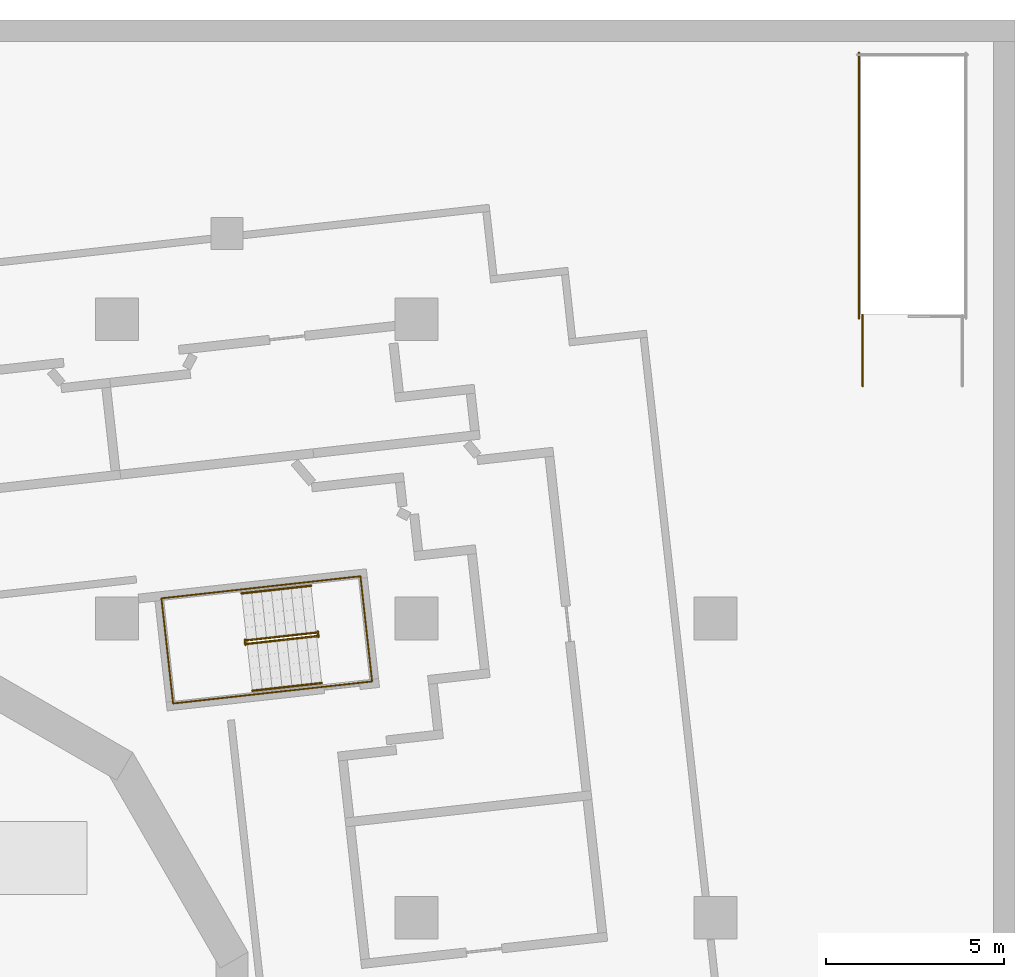
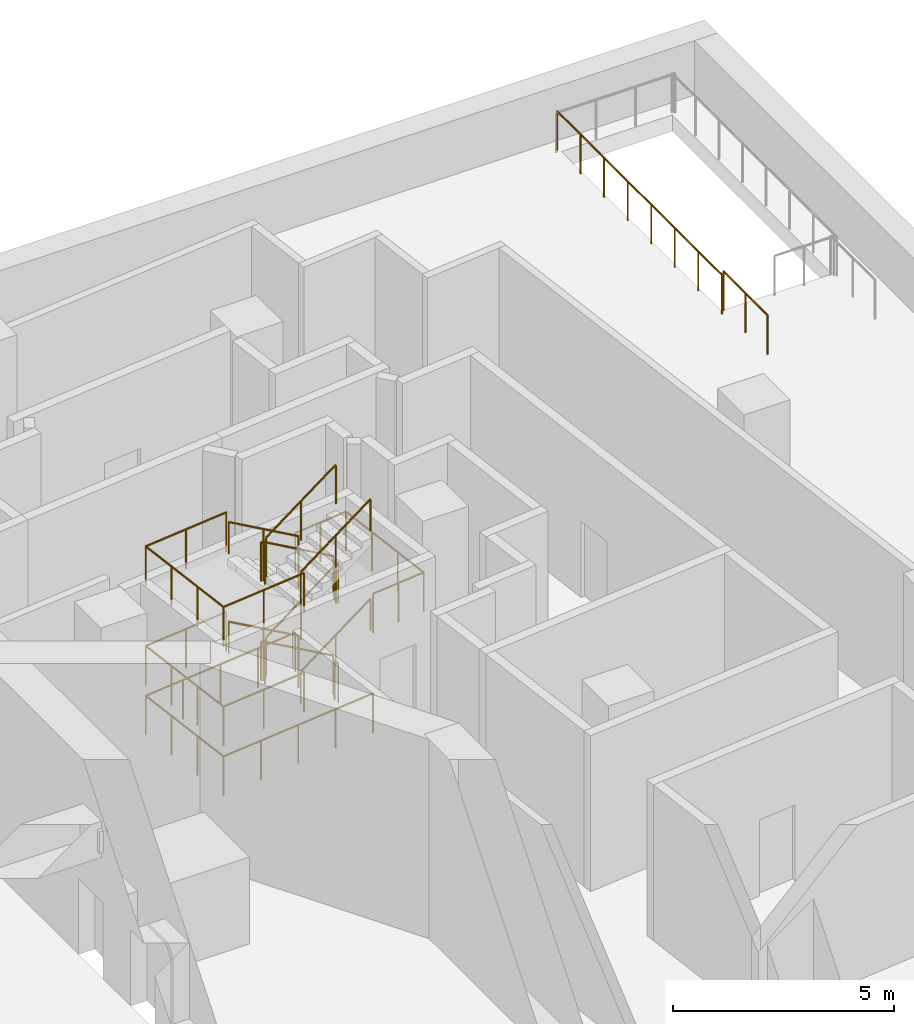
# One storey, part 10 of 12: 15 railings.
"""IFC4 building model written with IfcOpenShell, lengths in metres."""

from ifc_helpers import new_model, si_unit, direction, frame, origin, origin_2d, place, context, subcontext, project, spatial, circle, extrude, material, type_object, element, save


model = new_model("IFC4")

# Units and contexts
model_context = context("Model", 3, precision=1e-05, world=origin(), true_north=direction((0.0, 1.0)))
body_context = subcontext(model_context, "Body", "Model", "MODEL_VIEW")
ifc_project = project(units=[si_unit("LENGTHUNIT", "METRE"), si_unit("AREAUNIT", "SQUARE_METRE"), si_unit("VOLUMEUNIT", "CUBIC_METRE"), si_unit("PLANEANGLEUNIT", "RADIAN"), si_unit("MASSUNIT", "GRAM", prefix="KILO")], contexts=[model_context])

# Site, building, storey
site_placement = place(None, origin())
site = spatial("IfcSite", under=ifc_project, at=site_placement, CompositionType="ELEMENT")
building_placement = place(site_placement, origin())
building = spatial("IfcBuilding", under=site, at=building_placement, Name="Cantera Rosa Tower", CompositionType="ELEMENT")
storey_placement = place(building_placement, frame((0.0, 0.0, 37.0)))
storey = spatial("IfcBuildingStorey", under=building, at=storey_placement, Name="L06", CompositionType="ELEMENT", Elevation=37.0)

# Railings
ifc_material_1 = material(Name="Steel S355J2 (EN 10025-2)", Category="steel")
railing_type_1 = type_object("IfcRailingType", Name="STAIR GUARD 1100", PredefinedType="GUARDRAIL", material=ifc_material_1)
railing_1_placement = place(storey_placement, frame((13.986083984375, 12.203125, 0.171875)))
element("IfcRailing", 1, at=railing_1_placement, inside=storey, type_object=railing_type_1, Name="L06 ST-11 stair guard 1", PredefinedType="GUARDRAIL", context=body_context, shape_type="SweptSolid", body=[
    extrude(circle(Radius=0.02392578125, at=origin_2d()), frame((0.0, 0.0, 1.076171875), z_axis=(-0.847036091642, -0.094056144529, 0.523147494625), x_axis=(0.110363167853, -0.993891327652, 0.0)), (0.0, 0.0, 1.0), 2.2998046875),
    extrude(circle(Radius=0.02392578125, at=origin_2d()), frame((-1.947998046875, -0.21630859375, 2.279296875), z_axis=(-0.932004671541, 0.362446261155, 0.0), x_axis=(-0.362446261155, -0.932004671541, 0.0)), (0.0, 0.0, 1.0), 0.056640625),
    extrude(circle(Radius=0.02392578125, at=origin_2d()), frame((-2.000732421875, -0.19580078125, 2.279296875), z_axis=(0.110610055588, -0.993863881828, 0.0), x_axis=(0.993863881828, 0.110610055588, 0.0)), (0.0, 0.0, 1.0), 0.150146484375),
    extrude(circle(Radius=0.02099609375, at=origin_2d()), origin(), (0.0, 0.0, 1.0), 1.052001953125),
    extrude(circle(Radius=0.02099609375, at=origin_2d()), frame((-0.97412109375, -0.108154296875, 0.6015625)), (0.0, 0.0, 1.0), 1.052001953125),
    extrude(circle(Radius=0.02099609375, at=origin_2d()), frame((-1.947998046875, -0.21630859375, 1.203125)), (0.0, 0.0, 1.0), 1.052001953125),
    extrude(circle(Radius=0.02099609375, at=origin_2d()), frame((-2.000732421875, -0.19580078125, 1.203125)), (0.0, 0.0, 1.0), 1.052001953125),
    extrude(circle(Radius=0.02099609375, at=origin_2d()), frame((-1.984130859375, -0.344970703125, 1.203125)), (0.0, 0.0, 1.0), 1.052001953125),
])
railing_2_placement = place(storey_placement, frame((12.048828125, 11.889404296875, 1.546875)))
element("IfcRailing", 2, at=railing_2_placement, inside=storey, type_object=railing_type_1, Name="L06 ST-11 stair guard 2", PredefinedType="GUARDRAIL", context=body_context, shape_type="SweptSolid", body=[
    extrude(circle(Radius=0.02392578125, at=origin_2d()), frame((0.0, 0.0, 1.076171875), z_axis=(0.847036091642, 0.094056144529, 0.523147494625), x_axis=(-0.110363167853, 0.993891327652, 0.0)), (0.0, 0.0, 1.0), 2.2998046875),
    extrude(circle(Radius=0.02392578125, at=origin_2d()), frame((1.947998046875, 0.21630859375, 2.279296875), z_axis=(0.932897555956, -0.360141847183, 0.0), x_axis=(0.360141847183, 0.932897555956, 0.0)), (0.0, 0.0, 1.0), 0.05615234375),
    extrude(circle(Radius=0.02392578125, at=origin_2d()), frame((2.00048828125, 0.196044921875, 2.279296875), z_axis=(-0.109179471459, 0.994022053584, 0.0), x_axis=(-0.994022053584, -0.109179471459, 0.0)), (0.0, 0.0, 1.0), 0.14990234375),
    extrude(circle(Radius=0.02099609375, at=origin_2d()), origin(), (0.0, 0.0, 1.0), 1.052001953125),
    extrude(circle(Radius=0.02099609375, at=origin_2d()), frame((0.97412109375, 0.108154296875, 0.6015625)), (0.0, 0.0, 1.0), 1.052001953125),
    extrude(circle(Radius=0.02099609375, at=origin_2d()), frame((1.947998046875, 0.21630859375, 1.203125)), (0.0, 0.0, 1.0), 1.052001953125),
    extrude(circle(Radius=0.02099609375, at=origin_2d()), frame((2.00048828125, 0.196044921875, 1.203125)), (0.0, 0.0, 1.0), 1.052001953125),
    extrude(circle(Radius=0.02099609375, at=origin_2d()), frame((1.984130859375, 0.344970703125, 1.203125)), (0.0, 0.0, 1.0), 1.052001953125),
])
railing_3_placement = place(storey_placement, frame((13.986083984375, 12.203125, 2.921875)))
element("IfcRailing", 3, at=railing_3_placement, inside=storey, type_object=railing_type_1, Name="L06 ST-11 stair guard 3", PredefinedType="GUARDRAIL", context=body_context, shape_type="SweptSolid", body=[
    extrude(circle(Radius=0.02392578125, at=origin_2d()), frame((0.0, 0.0, 1.076171875), z_axis=(-0.847036091642, -0.094056144529, 0.523147494625), x_axis=(0.110363167853, -0.993891327652, 0.0)), (0.0, 0.0, 1.0), 2.2998046875),
    extrude(circle(Radius=0.02392578125, at=origin_2d()), frame((-1.947998046875, -0.21630859375, 2.279296875), z_axis=(-0.932004671541, 0.362446261155, 0.0), x_axis=(-0.362446261155, -0.932004671541, 0.0)), (0.0, 0.0, 1.0), 0.056640625),
    extrude(circle(Radius=0.02392578125, at=origin_2d()), frame((-2.000732421875, -0.19580078125, 2.279296875), z_axis=(0.110610055588, -0.993863881828, 0.0), x_axis=(0.993863881828, 0.110610055588, 0.0)), (0.0, 0.0, 1.0), 0.150146484375),
    extrude(circle(Radius=0.02099609375, at=origin_2d()), origin(), (0.0, 0.0, 1.0), 1.052001953125),
    extrude(circle(Radius=0.02099609375, at=origin_2d()), frame((-0.97412109375, -0.108154296875, 0.6015625)), (0.0, 0.0, 1.0), 1.052001953125),
    extrude(circle(Radius=0.02099609375, at=origin_2d()), frame((-1.947998046875, -0.21630859375, 1.203125)), (0.0, 0.0, 1.0), 1.052001953125),
    extrude(circle(Radius=0.02099609375, at=origin_2d()), frame((-2.000732421875, -0.19580078125, 1.203125)), (0.0, 0.0, 1.0), 1.052001953125),
    extrude(circle(Radius=0.02099609375, at=origin_2d()), frame((-1.984130859375, -0.344970703125, 1.203125)), (0.0, 0.0, 1.0), 1.052001953125),
])
railing_4_placement = place(storey_placement, frame((12.048828125, 11.889404296875, 4.296875)))
element("IfcRailing", 4, at=railing_4_placement, inside=storey, type_object=railing_type_1, Name="L06 ST-11 stair guard 4", PredefinedType="GUARDRAIL", context=body_context, shape_type="SweptSolid", body=[
    extrude(circle(Radius=0.02392578125, at=origin_2d()), frame((0.0, 0.0, 1.076171875), z_axis=(0.847036091642, 0.094056144529, 0.523147494625), x_axis=(-0.110363167853, 0.993891327652, 0.0)), (0.0, 0.0, 1.0), 2.2998046875),
    extrude(circle(Radius=0.02099609375, at=origin_2d()), origin(), (0.0, 0.0, 1.0), 1.052001953125),
    extrude(circle(Radius=0.02099609375, at=origin_2d()), frame((0.97412109375, 0.108154296875, 0.6015625)), (0.0, 0.0, 1.0), 1.052001953125),
    extrude(circle(Radius=0.02099609375, at=origin_2d()), frame((1.947998046875, 0.21630859375, 1.203125)), (0.0, 0.0, 1.0), 1.052001953125),
])
railing_5_placement = place(storey_placement, frame((14.032958984375, 12.234375, 0.0)))
element("IfcRailing", 5, at=railing_5_placement, inside=storey, type_object=railing_type_1, Name="L06 ST-11 stair guard 5", PredefinedType="GUARDRAIL", context=body_context, shape_type="SweptSolid", body=[
    extrude(circle(Radius=0.02392578125, at=origin_2d()), frame((0.0, 0.0, 1.076171875), z_axis=(0.109179471459, -0.994022053584, 0.0), x_axis=(0.994022053584, 0.109179471459, 0.0)), (0.0, 0.0, 1.0), 0.14990234375),
    extrude(circle(Radius=0.02099609375, at=origin_2d()), origin(), (0.0, 0.0, 1.0), 1.052001953125),
    extrude(circle(Radius=0.02099609375, at=origin_2d()), frame((0.016357421875, -0.14892578125, 0.0)), (0.0, 0.0, 1.0), 1.052001953125),
])
railing_6_placement = place(storey_placement, frame((13.815673828125, 13.629150390625, 0.0)))
element("IfcRailing", 6, at=railing_6_placement, inside=storey, type_object=railing_type_1, Name="L06 ST-11 stair guard 6", PredefinedType="GUARDRAIL", context=body_context, shape_type="SweptSolid", body=[
    extrude(circle(Radius=0.02392578125, at=origin_2d()), frame((0.0, 0.0, 1.076171875), z_axis=(-0.9938957856, -0.110323013767, 0.0), x_axis=(0.110323013767, -0.9938957856, 0.0)), (0.0, 0.0, 1.0), 4.197998046875),
    extrude(circle(Radius=0.02392578125, at=origin_2d()), frame((-4.17236328125, -0.463134765625, 1.076171875), z_axis=(0.110314237986, -0.993896759678, 0.0), x_axis=(0.993896759678, 0.110314237986, 0.0)), (0.0, 0.0, 1.0), 2.969970703125),
    extrude(circle(Radius=0.02392578125, at=origin_2d()), frame((-3.8447265625, -3.4150390625, 1.076171875), z_axis=(0.9938957856, 0.110323013767, 0.0), x_axis=(-0.110323013767, 0.9938957856, 0.0)), (0.0, 0.0, 1.0), 4.197998046875),
    extrude(circle(Radius=0.02099609375, at=origin_2d()), origin(), (0.0, 0.0, 1.0), 1.052001953125),
    extrude(circle(Radius=0.02099609375, at=origin_2d()), frame((-1.04296875, -0.11572265625, 0.0)), (0.0, 0.0, 1.0), 1.052001953125),
    extrude(circle(Radius=0.02099609375, at=origin_2d()), frame((-2.086181640625, -0.2314453125, 0.0)), (0.0, 0.0, 1.0), 1.052001953125),
    extrude(circle(Radius=0.02099609375, at=origin_2d()), frame((-3.12939453125, -0.347412109375, 0.0)), (0.0, 0.0, 1.0), 1.052001953125),
    extrude(circle(Radius=0.02099609375, at=origin_2d()), frame((-4.17236328125, -0.463134765625, 0.0)), (0.0, 0.0, 1.0), 1.052001953125),
    extrude(circle(Radius=0.02099609375, at=origin_2d()), frame((-4.063232421875, -1.447021484375, 0.0)), (0.0, 0.0, 1.0), 1.052001953125),
    extrude(circle(Radius=0.02099609375, at=origin_2d()), frame((-3.953857421875, -2.43115234375, 0.0)), (0.0, 0.0, 1.0), 1.052001953125),
    extrude(circle(Radius=0.02099609375, at=origin_2d()), frame((-3.8447265625, -3.4150390625, 0.0)), (0.0, 0.0, 1.0), 1.052001953125),
    extrude(circle(Radius=0.02099609375, at=origin_2d()), frame((-2.8017578125, -3.29931640625, 0.0)), (0.0, 0.0, 1.0), 1.052001953125),
    extrude(circle(Radius=0.02099609375, at=origin_2d()), frame((-1.758544921875, -3.18359375, 0.0)), (0.0, 0.0, 1.0), 1.052001953125),
    extrude(circle(Radius=0.02099609375, at=origin_2d()), frame((-0.71533203125, -3.067626953125, 0.0)), (0.0, 0.0, 1.0), 1.052001953125),
    extrude(circle(Radius=0.02099609375, at=origin_2d()), frame((0.32763671875, -2.951904296875, 0.0)), (0.0, 0.0, 1.0), 1.052001953125),
])
railing_7_placement = place(storey_placement, frame((11.8916015625, 13.41552734375, 1.375)))
element("IfcRailing", 7, at=railing_7_placement, inside=storey, type_object=railing_type_1, Name="L06 ST-11 stair guard 7", PredefinedType="GUARDRAIL", context=body_context, shape_type="SweptSolid", body=[
    extrude(circle(Radius=0.02392578125, at=origin_2d()), frame((0.0, 0.0, 1.076171875), z_axis=(-0.993898204122, -0.110301223218, 0.0), x_axis=(0.110301223218, -0.993898204122, 0.0)), (0.0, 0.0, 1.0), 2.26220703125),
    extrude(circle(Radius=0.02392578125, at=origin_2d()), frame((-2.248291015625, -0.24951171875, 1.076171875), z_axis=(0.110314237986, -0.993896759678, 0.0), x_axis=(0.993896759678, 0.110314237986, 0.0)), (0.0, 0.0, 1.0), 2.969970703125),
    extrude(circle(Radius=0.02392578125, at=origin_2d()), frame((-1.920654296875, -3.201416015625, 1.076171875), z_axis=(0.993898204122, 0.110301223218, 0.0), x_axis=(-0.110301223218, 0.993898204122, 0.0)), (0.0, 0.0, 1.0), 2.26220703125),
    extrude(circle(Radius=0.02099609375, at=origin_2d()), origin(), (0.0, 0.0, 1.0), 1.052001953125),
    extrude(circle(Radius=0.02099609375, at=origin_2d()), frame((-1.1240234375, -0.124755859375, 0.0)), (0.0, 0.0, 1.0), 1.052001953125),
    extrude(circle(Radius=0.02099609375, at=origin_2d()), frame((-2.248291015625, -0.24951171875, 0.0)), (0.0, 0.0, 1.0), 1.052001953125),
    extrude(circle(Radius=0.02099609375, at=origin_2d()), frame((-2.13916015625, -1.2333984375, 0.0)), (0.0, 0.0, 1.0), 1.052001953125),
    extrude(circle(Radius=0.02099609375, at=origin_2d()), frame((-2.02978515625, -2.217529296875, 0.0)), (0.0, 0.0, 1.0), 1.052001953125),
    extrude(circle(Radius=0.02099609375, at=origin_2d()), frame((-1.920654296875, -3.201416015625, 0.0)), (0.0, 0.0, 1.0), 1.052001953125),
    extrude(circle(Radius=0.02099609375, at=origin_2d()), frame((-0.79638671875, -3.07666015625, 0.0)), (0.0, 0.0, 1.0), 1.052001953125),
    extrude(circle(Radius=0.02099609375, at=origin_2d()), frame((0.32763671875, -2.951904296875, 0.0)), (0.0, 0.0, 1.0), 1.052001953125),
])
railing_8_placement = place(storey_placement, frame((13.815673828125, 13.629150390625, 2.75)))
element("IfcRailing", 8, at=railing_8_placement, inside=storey, type_object=railing_type_1, Name="L06 ST-11 stair guard 8", PredefinedType="GUARDRAIL", context=body_context, shape_type="SweptSolid", body=[
    extrude(circle(Radius=0.02392578125, at=origin_2d()), frame((0.0, 0.0, 1.076171875), z_axis=(0.993906744489, 0.110224240795, 0.0), x_axis=(-0.110224240795, 0.993906744489, 0.0)), (0.0, 0.0, 1.0), 1.421875),
    extrude(circle(Radius=0.02392578125, at=origin_2d()), frame((1.413330078125, 0.15673828125, 1.076171875), z_axis=(0.110314237986, -0.993896759678, 0.0), x_axis=(0.993896759678, 0.110314237986, 0.0)), (0.0, 0.0, 1.0), 2.969970703125),
    extrude(circle(Radius=0.02392578125, at=origin_2d()), frame((1.740966796875, -2.795166015625, 1.076171875), z_axis=(-0.993906744489, -0.110224240795, 0.0), x_axis=(0.110224240795, -0.993906744489, 0.0)), (0.0, 0.0, 1.0), 1.421875),
    extrude(circle(Radius=0.02099609375, at=origin_2d()), origin(), (0.0, 0.0, 1.0), 1.052001953125),
    extrude(circle(Radius=0.02099609375, at=origin_2d()), frame((0.70654296875, 0.078369140625, 0.0)), (0.0, 0.0, 1.0), 1.052001953125),
    extrude(circle(Radius=0.02099609375, at=origin_2d()), frame((1.413330078125, 0.15673828125, 0.0)), (0.0, 0.0, 1.0), 1.052001953125),
    extrude(circle(Radius=0.02099609375, at=origin_2d()), frame((1.5224609375, -0.8271484375, 0.0)), (0.0, 0.0, 1.0), 1.052001953125),
    extrude(circle(Radius=0.02099609375, at=origin_2d()), frame((1.6318359375, -1.811279296875, 0.0)), (0.0, 0.0, 1.0), 1.052001953125),
    extrude(circle(Radius=0.02099609375, at=origin_2d()), frame((1.740966796875, -2.795166015625, 0.0)), (0.0, 0.0, 1.0), 1.052001953125),
    extrude(circle(Radius=0.02099609375, at=origin_2d()), frame((1.0341796875, -2.87353515625, 0.0)), (0.0, 0.0, 1.0), 1.052001953125),
    extrude(circle(Radius=0.02099609375, at=origin_2d()), frame((0.32763671875, -2.951904296875, 0.0)), (0.0, 0.0, 1.0), 1.052001953125),
])
railing_9_placement = place(storey_placement, frame((11.8916015625, 13.41552734375, 4.125)))
element("IfcRailing", 9, at=railing_9_placement, inside=storey, type_object=railing_type_1, Name="L06 ST-11 stair guard 9", PredefinedType="GUARDRAIL", context=body_context, shape_type="SweptSolid", body=[
    extrude(circle(Radius=0.02392578125, at=origin_2d()), frame((0.0, 0.0, 1.076171875), z_axis=(-0.993898204122, -0.110301223218, 0.0), x_axis=(0.110301223218, -0.993898204122, 0.0)), (0.0, 0.0, 1.0), 2.26220703125),
    extrude(circle(Radius=0.02392578125, at=origin_2d()), frame((-2.248291015625, -0.24951171875, 1.076171875), z_axis=(0.110314237986, -0.993896759678, 0.0), x_axis=(0.993896759678, 0.110314237986, 0.0)), (0.0, 0.0, 1.0), 2.969970703125),
    extrude(circle(Radius=0.02392578125, at=origin_2d()), frame((-1.920654296875, -3.201416015625, 1.076171875), z_axis=(0.993898204122, 0.110301223218, 0.0), x_axis=(-0.110301223218, 0.993898204122, 0.0)), (0.0, 0.0, 1.0), 2.26220703125),
    extrude(circle(Radius=0.02099609375, at=origin_2d()), origin(), (0.0, 0.0, 1.0), 1.052001953125),
    extrude(circle(Radius=0.02099609375, at=origin_2d()), frame((-1.1240234375, -0.124755859375, 0.0)), (0.0, 0.0, 1.0), 1.052001953125),
    extrude(circle(Radius=0.02099609375, at=origin_2d()), frame((-2.248291015625, -0.24951171875, 0.0)), (0.0, 0.0, 1.0), 1.052001953125),
    extrude(circle(Radius=0.02099609375, at=origin_2d()), frame((-2.13916015625, -1.2333984375, 0.0)), (0.0, 0.0, 1.0), 1.052001953125),
    extrude(circle(Radius=0.02099609375, at=origin_2d()), frame((-2.02978515625, -2.217529296875, 0.0)), (0.0, 0.0, 1.0), 1.052001953125),
    extrude(circle(Radius=0.02099609375, at=origin_2d()), frame((-1.920654296875, -3.201416015625, 0.0)), (0.0, 0.0, 1.0), 1.052001953125),
    extrude(circle(Radius=0.02099609375, at=origin_2d()), frame((-0.79638671875, -3.07666015625, 0.0)), (0.0, 0.0, 1.0), 1.052001953125),
    extrude(circle(Radius=0.02099609375, at=origin_2d()), frame((0.32763671875, -2.951904296875, 0.0)), (0.0, 0.0, 1.0), 1.052001953125),
])
railing_10_placement = place(storey_placement, frame((29.22509765625, 21.02490234375, 0.0)))
element("IfcRailing", 10, at=railing_10_placement, inside=storey, type_object=railing_type_1, Name="L06 ST-NE top well guard 3", PredefinedType="GUARDRAIL", context=body_context, shape_type="SweptSolid", body=[
    extrude(circle(Radius=0.02392578125, at=origin_2d()), frame((0.0, 0.0, 1.076171875), z_axis=(0.0, 1.0, 0.0), x_axis=(-1.0, 0.0, 0.0)), (0.0, 0.0, 1.0), 7.4501953125),
    extrude(circle(Radius=0.02099609375, at=origin_2d()), origin(), (0.0, 0.0, 1.0), 1.052001953125),
    extrude(circle(Radius=0.02099609375, at=origin_2d()), frame((0.0, 1.064208984375, 0.0)), (0.0, 0.0, 1.0), 1.052001953125),
    extrude(circle(Radius=0.02099609375, at=origin_2d()), frame((0.0, 2.128662109375, 0.0)), (0.0, 0.0, 1.0), 1.052001953125),
    extrude(circle(Radius=0.02099609375, at=origin_2d()), frame((0.0, 3.19287109375, 0.0)), (0.0, 0.0, 1.0), 1.052001953125),
    extrude(circle(Radius=0.02099609375, at=origin_2d()), frame((0.0, 4.25732421875, 0.0)), (0.0, 0.0, 1.0), 1.052001953125),
    extrude(circle(Radius=0.02099609375, at=origin_2d()), frame((0.0, 5.321533203125, 0.0)), (0.0, 0.0, 1.0), 1.052001953125),
    extrude(circle(Radius=0.02099609375, at=origin_2d()), frame((0.0, 6.385986328125, 0.0)), (0.0, 0.0, 1.0), 1.052001953125),
    extrude(circle(Radius=0.02099609375, at=origin_2d()), frame((0.0, 7.4501953125, 0.0)), (0.0, 0.0, 1.0), 1.052001953125),
])
railing_11_placement = place(storey_placement, frame((29.324951171875, 19.125, 0.0)))
element("IfcRailing", 11, at=railing_11_placement, inside=storey, type_object=railing_type_1, Name="L06 ST-NE top well guard 6", PredefinedType="GUARDRAIL", context=body_context, shape_type="SweptSolid", body=[
    extrude(circle(Radius=0.02392578125, at=origin_2d()), frame((0.0, 0.0, 1.076171875), z_axis=(0.0, 1.0, 0.0), x_axis=(-1.0, 0.0, 0.0)), (0.0, 0.0, 1.0), 2.0),
    extrude(circle(Radius=0.02099609375, at=origin_2d()), origin(), (0.0, 0.0, 1.0), 1.052001953125),
    extrude(circle(Radius=0.02099609375, at=origin_2d()), frame((0.0, 1.0, 0.0)), (0.0, 0.0, 1.0), 1.052001953125),
    extrude(circle(Radius=0.02099609375, at=origin_2d()), frame((0.0, 2.0, 0.0)), (0.0, 0.0, 1.0), 1.052001953125),
])
ifc_material_2 = material(Name="Steel S355J2 (EN 10025-2)", Category="steel")
railing_type_2 = type_object("IfcRailingType", Name="STAIR HANDRAIL 900", PredefinedType="HANDRAIL", material=ifc_material_2)
railing_12_placement = place(storey_placement, frame((13.83984375, 13.52099609375, 0.171875)))
element("IfcRailing", 12, at=railing_12_placement, inside=storey, type_object=railing_type_2, Name="L06 ST-11 stair handrail 1", PredefinedType="HANDRAIL", context=body_context, shape_type="SweptSolid", body=[
    extrude(circle(Radius=0.02392578125, at=origin_2d()), frame((0.0, 0.0, 0.8759765625), z_axis=(-0.847044544506, -0.093950923911, 0.523152715293), x_axis=(0.110240119108, -0.993904983456, 0.0)), (0.0, 0.0, 1.0), 2.2998046875),
    extrude(circle(Radius=0.02099609375, at=origin_2d()), origin(), (0.0, 0.0, 1.0), 0.851806640625),
    extrude(circle(Radius=0.02099609375, at=origin_2d()), frame((-0.97412109375, -0.10791015625, 0.6015625)), (0.0, 0.0, 1.0), 0.851806640625),
    extrude(circle(Radius=0.02099609375, at=origin_2d()), frame((-1.947998046875, -0.216064453125, 1.203125)), (0.0, 0.0, 1.0), 0.851806640625),
])
railing_13_placement = place(storey_placement, frame((12.195068359375, 10.571533203125, 1.546875)))
element("IfcRailing", 13, at=railing_13_placement, inside=storey, type_object=railing_type_2, Name="L06 ST-11 stair handrail 2", PredefinedType="HANDRAIL", context=body_context, shape_type="SweptSolid", body=[
    extrude(circle(Radius=0.02392578125, at=origin_2d()), frame((0.0, 0.0, 0.8759765625), z_axis=(0.847036091642, 0.094056144529, 0.523147494625), x_axis=(-0.110363167853, 0.993891327652, 0.0)), (0.0, 0.0, 1.0), 2.2998046875),
    extrude(circle(Radius=0.02099609375, at=origin_2d()), origin(), (0.0, 0.0, 1.0), 0.851806640625),
    extrude(circle(Radius=0.02099609375, at=origin_2d()), frame((0.97412109375, 0.108154296875, 0.6015625)), (0.0, 0.0, 1.0), 0.851806640625),
    extrude(circle(Radius=0.02099609375, at=origin_2d()), frame((1.947998046875, 0.21630859375, 1.203125)), (0.0, 0.0, 1.0), 0.851806640625),
])
railing_14_placement = place(storey_placement, frame((13.83984375, 13.52099609375, 2.921875)))
element("IfcRailing", 14, at=railing_14_placement, inside=storey, type_object=railing_type_2, Name="L06 ST-11 stair handrail 3", PredefinedType="HANDRAIL", context=body_context, shape_type="SweptSolid", body=[
    extrude(circle(Radius=0.02392578125, at=origin_2d()), frame((0.0, 0.0, 0.8759765625), z_axis=(-0.847044544506, -0.093950923911, 0.523152715293), x_axis=(0.110240119108, -0.993904983456, 0.0)), (0.0, 0.0, 1.0), 2.2998046875),
    extrude(circle(Radius=0.02099609375, at=origin_2d()), origin(), (0.0, 0.0, 1.0), 0.851806640625),
    extrude(circle(Radius=0.02099609375, at=origin_2d()), frame((-0.97412109375, -0.10791015625, 0.6015625)), (0.0, 0.0, 1.0), 0.851806640625),
    extrude(circle(Radius=0.02099609375, at=origin_2d()), frame((-1.947998046875, -0.216064453125, 1.203125)), (0.0, 0.0, 1.0), 0.851806640625),
])
railing_15_placement = place(storey_placement, frame((12.195068359375, 10.571533203125, 4.296875)))
element("IfcRailing", 15, at=railing_15_placement, inside=storey, type_object=railing_type_2, Name="L06 ST-11 stair handrail 4", PredefinedType="HANDRAIL", context=body_context, shape_type="SweptSolid", body=[
    extrude(circle(Radius=0.02392578125, at=origin_2d()), frame((0.0, 0.0, 0.8759765625), z_axis=(0.847036091642, 0.094056144529, 0.523147494625), x_axis=(-0.110363167853, 0.993891327652, 0.0)), (0.0, 0.0, 1.0), 2.2998046875),
    extrude(circle(Radius=0.02099609375, at=origin_2d()), origin(), (0.0, 0.0, 1.0), 0.851806640625),
    extrude(circle(Radius=0.02099609375, at=origin_2d()), frame((0.97412109375, 0.108154296875, 0.6015625)), (0.0, 0.0, 1.0), 0.851806640625),
    extrude(circle(Radius=0.02099609375, at=origin_2d()), frame((1.947998046875, 0.21630859375, 1.203125)), (0.0, 0.0, 1.0), 0.851806640625),
])

save(model, "model.ifc")
